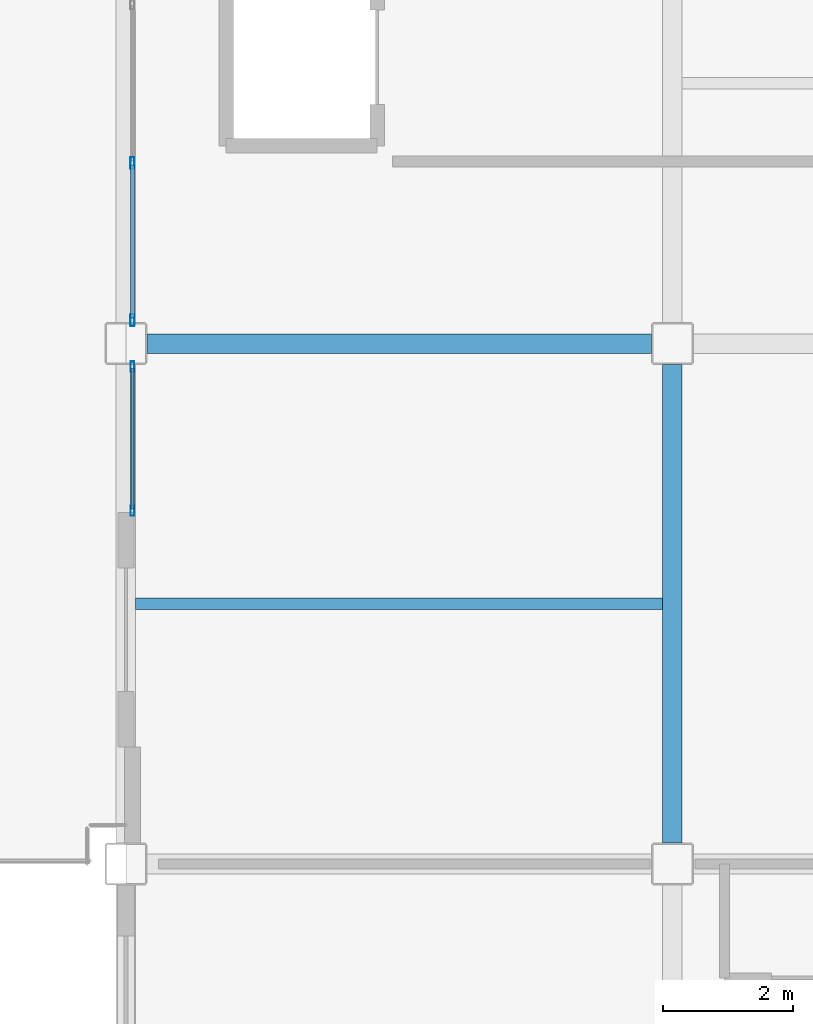
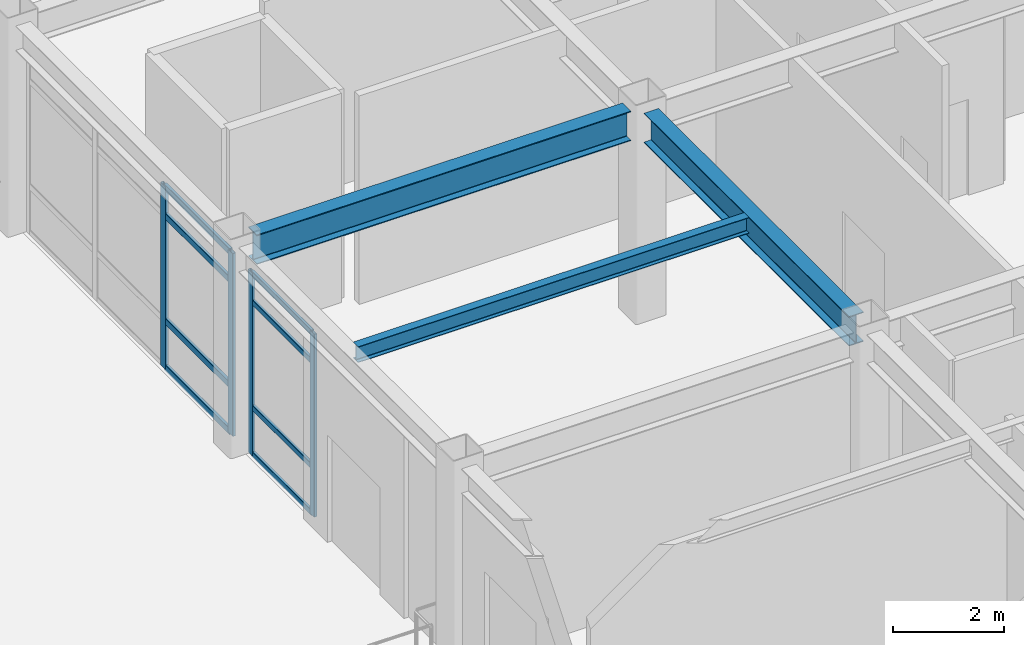
# One storey, part 17 of 61: 12 members, 3 beams, 2 elements without a shape of their own.
"""IFC4 building model written with IfcOpenShell, lengths in metres."""

from ifc_helpers import new_model, si_unit, direction, frame, origin, origin_2d, place, context, subcontext, project, spatial, hollow_rectangle, i_section, extrude, material, layer, layer_set, material_profile, profile_set, type_object, element, aggregate, save


model = new_model("IFC4")

# Units and contexts
model_context = context("Model", 3, precision=1e-05, world=origin(), true_north=direction((0.0, 1.0)))
body_context = subcontext(model_context, "Body", "Model", "MODEL_VIEW")
ifc_project = project(units=[si_unit("LENGTHUNIT", "METRE"), si_unit("AREAUNIT", "SQUARE_METRE"), si_unit("VOLUMEUNIT", "CUBIC_METRE"), si_unit("PLANEANGLEUNIT", "RADIAN"), si_unit("MASSUNIT", "GRAM", prefix="KILO")], contexts=[model_context])

# Site, building, storey
site_placement = place(None, origin())
site = spatial("IfcSite", under=ifc_project, at=site_placement, CompositionType="ELEMENT")
building_placement = place(site_placement, origin())
building = spatial("IfcBuilding", under=site, at=building_placement, Name="Kazehara Bluff Congress Hotel", CompositionType="ELEMENT")
storey_placement = place(building_placement, frame((0.0, 0.0, 19.800048828125)))
storey = spatial("IfcBuildingStorey", under=building, at=storey_placement, Name="L04", CompositionType="ELEMENT", Elevation=19.800048828125)

# Curtain wall, members
ifc_material_1 = material(Name="Anodised aluminium", Category="aluminium")
ifc_layer_1 = layer(ifc_material_1, 0.159912109375)
ifc_layer_set_1 = layer_set([ifc_layer_1], Name="Anodised aluminium")
curtain_wall_type_1 = type_object("IfcCurtainWallType", Name="TP-CW-165", PredefinedType="NOTDEFINED", material=ifc_layer_set_1)
curtain_wall_1_placement = place(storey_placement, origin())
curtain_wall_1 = element("IfcCurtainWall", 1, at=curtain_wall_1_placement, inside=storey, type_object=curtain_wall_type_1, Name="L04 curtain wall CW-165 CW-ENC-V5-L04-14380-2254", PredefinedType="NOTDEFINED")
ifc_material_2 = material(Name="Anodised aluminium", Category="aluminium")
ifc_material_profile_1 = material_profile(ifc_material_2, hollow_rectangle(XDim=0.06005859375, YDim=0.159912109375, WallThickness=0.00390625, InnerFilletRadius=0.00390625, OuterFilletRadius=0.008056640625, at=origin_2d()))
ifc_profile_set_1 = profile_set([ifc_material_profile_1], Name="Anodised aluminium")
member_type_1 = type_object("IfcMemberType", Name="TP-CWM-01", PredefinedType="MULLION", material=ifc_profile_set_1)
member_1_placement = place(storey_placement, frame((143.800048828125, 21.429931640625, 0.0), z_axis=(0.0, 0.0, 1.0), x_axis=(-1.0, 0.0, 0.0)))
member_1 = element("IfcMember", 2, at=member_1_placement, type_object=member_type_1, Name="CW-165 mullion 1", PredefinedType="MULLION", context=body_context, shape_type="SweptSolid", body=[
    extrude(hollow_rectangle(XDim=0.06005859375, YDim=0.159912109375, WallThickness=0.00390625, InnerFilletRadius=0.00390625, OuterFilletRadius=0.008056640625, at=origin_2d()), origin(), (0.0, 0.0, 1.0), 4.0048828125),
])
member_2_placement = place(storey_placement, frame((143.800048828125, 23.64501953125, 0.0), z_axis=(0.0, 0.0, 1.0), x_axis=(-1.0, 0.0, 0.0)))
member_2 = element("IfcMember", 3, at=member_2_placement, type_object=member_type_1, Name="CW-165 mullion 2", PredefinedType="MULLION", context=body_context, shape_type="SweptSolid", body=[
    extrude(hollow_rectangle(XDim=0.06005859375, YDim=0.159912109375, WallThickness=0.00390625, InnerFilletRadius=0.00390625, OuterFilletRadius=0.008056640625, at=origin_2d()), origin(), (0.0, 0.0, 1.0), 4.0048828125),
])

ifc_material_3 = material(Name="Anodised aluminium", Category="aluminium")
ifc_layer_2 = layer(ifc_material_3, 0.159912109375)
ifc_layer_set_2 = layer_set([ifc_layer_2], Name="Anodised aluminium")
curtain_wall_type_2 = type_object("IfcCurtainWallType", Name="TP-CW-166", PredefinedType="NOTDEFINED", material=ifc_layer_set_2)
curtain_wall_2_placement = place(storey_placement, origin())
curtain_wall_2 = element("IfcCurtainWall", 4, at=curtain_wall_2_placement, inside=storey, type_object=curtain_wall_type_2, Name="L04 curtain wall CW-166 CW-ENC-V5-L04-14380-2800", PredefinedType="NOTDEFINED")
ifc_material_4 = material(Name="Anodised aluminium", Category="aluminium")
ifc_material_profile_2 = material_profile(ifc_material_4, hollow_rectangle(XDim=0.06494140625, YDim=0.179931640625, WallThickness=0.00390625, InnerFilletRadius=0.00390625, OuterFilletRadius=0.008056640625, at=origin_2d()))
ifc_profile_set_2 = profile_set([ifc_material_profile_2], Name="Anodised aluminium")
member_type_2 = type_object("IfcMemberType", Name="TP-CWM-02", PredefinedType="MULLION", material=ifc_profile_set_2)
member_3_placement = place(storey_placement, frame((143.800048828125, 24.357421875, 0.0), z_axis=(0.0, 0.0, 1.0), x_axis=(-1.0, 0.0, 0.0)))
member_3 = element("IfcMember", 5, at=member_3_placement, type_object=member_type_2, Name="CW-166 mullion 1", PredefinedType="MULLION", context=body_context, shape_type="SweptSolid", body=[
    extrude(hollow_rectangle(XDim=0.06494140625, YDim=0.179931640625, WallThickness=0.00390625, InnerFilletRadius=0.00390625, OuterFilletRadius=0.008056640625, at=origin_2d()), origin(), (0.0, 0.0, 1.0), 4.0048828125),
])
member_4_placement = place(storey_placement, frame((143.800048828125, 26.77490234375, 0.0), z_axis=(0.0, 0.0, 1.0), x_axis=(-1.0, 0.0, 0.0)))
member_4 = element("IfcMember", 6, at=member_4_placement, type_object=member_type_2, Name="CW-166 mullion 2", PredefinedType="MULLION", context=body_context, shape_type="SweptSolid", body=[
    extrude(hollow_rectangle(XDim=0.06494140625, YDim=0.179931640625, WallThickness=0.00390625, InnerFilletRadius=0.00390625, OuterFilletRadius=0.008056640625, at=origin_2d()), origin(), (0.0, 0.0, 1.0), 4.0048828125),
])

# Member
ifc_material_5 = material(Name="Anodised aluminium", Category="aluminium")
ifc_material_profile_3 = material_profile(ifc_material_5, hollow_rectangle(XDim=0.06005859375, YDim=0.1201171875, WallThickness=0.00390625, InnerFilletRadius=0.00390625, OuterFilletRadius=0.008056640625, at=origin_2d()))
ifc_profile_set_3 = profile_set([ifc_material_profile_3], Name="Anodised aluminium")
member_type_3 = type_object("IfcMemberType", Name="TP-CWT-01", PredefinedType="USERDEFINED", material=ifc_profile_set_3)
member_5_placement = place(storey_placement, frame((143.800048828125, 21.4599609375, 0.030029296875), z_axis=(0.0, 1.0, 0.0), x_axis=(-1.0, 0.0, 0.0)))
member_5 = element("IfcMember", 7, at=member_5_placement, type_object=member_type_3, Name="CW-165 transom 1.1", ObjectType="TRANSOM", PredefinedType="USERDEFINED", context=body_context, shape_type="SweptSolid", body=[
    extrude(hollow_rectangle(XDim=0.06005859375, YDim=0.1201171875, WallThickness=0.00390625, InnerFilletRadius=0.00390625, OuterFilletRadius=0.008056640625, at=origin_2d()), origin(), (0.0, 0.0, 1.0), 2.155029296875),
])

member_6_placement = place(storey_placement, frame((143.800048828125, 21.4599609375, 1.050048828125), z_axis=(0.0, 1.0, 0.0), x_axis=(-1.0, 0.0, 0.0)))
member_6 = element("IfcMember", 8, at=member_6_placement, type_object=member_type_3, Name="CW-165 transom 1.2", ObjectType="TRANSOM", PredefinedType="USERDEFINED", context=body_context, shape_type="SweptSolid", body=[
    extrude(hollow_rectangle(XDim=0.06005859375, YDim=0.1201171875, WallThickness=0.00390625, InnerFilletRadius=0.00390625, OuterFilletRadius=0.008056640625, at=origin_2d()), origin(), (0.0, 0.0, 1.0), 2.155029296875),
])

member_7_placement = place(storey_placement, frame((143.800048828125, 21.4599609375, 3.35498046875), z_axis=(0.0, 1.0, 0.0), x_axis=(-1.0, 0.0, 0.0)))
member_7 = element("IfcMember", 9, at=member_7_placement, type_object=member_type_3, Name="CW-165 transom 1.3", ObjectType="TRANSOM", PredefinedType="USERDEFINED", context=body_context, shape_type="SweptSolid", body=[
    extrude(hollow_rectangle(XDim=0.06005859375, YDim=0.1201171875, WallThickness=0.00390625, InnerFilletRadius=0.00390625, OuterFilletRadius=0.008056640625, at=origin_2d()), origin(), (0.0, 0.0, 1.0), 2.155029296875),
])

member_8_placement = place(storey_placement, frame((143.800048828125, 21.4599609375, 3.974853515625), z_axis=(0.0, 1.0, 0.0), x_axis=(-1.0, 0.0, 0.0)))
member_8 = element("IfcMember", 10, at=member_8_placement, type_object=member_type_3, Name="CW-165 transom 1.4", ObjectType="TRANSOM", PredefinedType="USERDEFINED", context=body_context, shape_type="SweptSolid", body=[
    extrude(hollow_rectangle(XDim=0.06005859375, YDim=0.1201171875, WallThickness=0.00390625, InnerFilletRadius=0.00390625, OuterFilletRadius=0.008056640625, at=origin_2d()), origin(), (0.0, 0.0, 1.0), 2.155029296875),
])

aggregate(curtain_wall_1, [member_1, member_2, member_5, member_6, member_7, member_8])

ifc_material_6 = material(Name="Anodised aluminium", Category="aluminium")
ifc_material_profile_4 = material_profile(ifc_material_6, hollow_rectangle(XDim=0.06494140625, YDim=0.139892578125, WallThickness=0.00390625, InnerFilletRadius=0.00390625, OuterFilletRadius=0.008056640625, at=origin_2d()))
ifc_profile_set_4 = profile_set([ifc_material_profile_4], Name="Anodised aluminium")
member_type_4 = type_object("IfcMemberType", Name="TP-CWT-02", PredefinedType="USERDEFINED", material=ifc_profile_set_4)
member_9_placement = place(storey_placement, frame((143.800048828125, 24.389892578125, 0.032470703125), z_axis=(0.0, 1.0, 0.0), x_axis=(-1.0, 0.0, 0.0)))
member_9 = element("IfcMember", 11, at=member_9_placement, type_object=member_type_4, Name="CW-166 transom 1.1", ObjectType="TRANSOM", PredefinedType="USERDEFINED", context=body_context, shape_type="SweptSolid", body=[
    extrude(hollow_rectangle(XDim=0.06494140625, YDim=0.139892578125, WallThickness=0.00390625, InnerFilletRadius=0.00390625, OuterFilletRadius=0.008056640625, at=origin_2d()), origin(), (0.0, 0.0, 1.0), 2.3525390625),
])

member_10_placement = place(storey_placement, frame((143.800048828125, 24.389892578125, 1.050048828125), z_axis=(0.0, 1.0, 0.0), x_axis=(-1.0, 0.0, 0.0)))
member_10 = element("IfcMember", 12, at=member_10_placement, type_object=member_type_4, Name="CW-166 transom 1.2", ObjectType="TRANSOM", PredefinedType="USERDEFINED", context=body_context, shape_type="SweptSolid", body=[
    extrude(hollow_rectangle(XDim=0.06494140625, YDim=0.139892578125, WallThickness=0.00390625, InnerFilletRadius=0.00390625, OuterFilletRadius=0.008056640625, at=origin_2d()), origin(), (0.0, 0.0, 1.0), 2.3525390625),
])

member_11_placement = place(storey_placement, frame((143.800048828125, 24.389892578125, 3.35498046875), z_axis=(0.0, 1.0, 0.0), x_axis=(-1.0, 0.0, 0.0)))
member_11 = element("IfcMember", 13, at=member_11_placement, type_object=member_type_4, Name="CW-166 transom 1.3", ObjectType="TRANSOM", PredefinedType="USERDEFINED", context=body_context, shape_type="SweptSolid", body=[
    extrude(hollow_rectangle(XDim=0.06494140625, YDim=0.139892578125, WallThickness=0.00390625, InnerFilletRadius=0.00390625, OuterFilletRadius=0.008056640625, at=origin_2d()), origin(), (0.0, 0.0, 1.0), 2.3525390625),
])

member_12_placement = place(storey_placement, frame((143.800048828125, 24.389892578125, 3.972412109375), z_axis=(0.0, 1.0, 0.0), x_axis=(-1.0, 0.0, 0.0)))
member_12 = element("IfcMember", 14, at=member_12_placement, type_object=member_type_4, Name="CW-166 transom 1.4", ObjectType="TRANSOM", PredefinedType="USERDEFINED", context=body_context, shape_type="SweptSolid", body=[
    extrude(hollow_rectangle(XDim=0.06494140625, YDim=0.139892578125, WallThickness=0.00390625, InnerFilletRadius=0.00390625, OuterFilletRadius=0.008056640625, at=origin_2d()), origin(), (0.0, 0.0, 1.0), 2.3525390625),
])

aggregate(curtain_wall_2, [member_3, member_4, member_9, member_10, member_11, member_12])

# Beams
ifc_material_7 = material(Name="Steel SN490B", Category="steel")
ifc_material_profile_5 = material_profile(ifc_material_7, i_section(OverallWidth=0.300048828125, OverallDepth=0.64990234375, WebThickness=0.011962890625, FlangeThickness=0.02001953125, FilletRadius=0.012939453125, at=origin_2d()))
ifc_profile_set_5 = profile_set([ifc_material_profile_5], Name="Steel SN490B")
beam_type_1 = type_object("IfcBeamType", Name="TP-G-03", PredefinedType="BEAM", material=ifc_profile_set_5)
beam_1_placement = place(storey_placement, frame((152.10009765625, 16.324951171875, 4.2548828125), z_axis=(0.0, 1.0, 0.0), x_axis=(-1.0, 0.0, 0.0)))
element("IfcBeam", 15, at=beam_1_placement, inside=storey, type_object=beam_type_1, Name="L04 girder G-03 46", PredefinedType="BEAM", context=body_context, shape_type="SweptSolid", body=[
    extrude(i_section(OverallWidth=0.300048828125, OverallDepth=0.64990234375, WebThickness=0.011962890625, FlangeThickness=0.02001953125, FilletRadius=0.012939453125, at=origin_2d()), origin(), (0.0, 0.0, 1.0), 7.35009765625),
])
beam_2_placement = place(storey_placement, frame((144.02490234375, 24.0, 4.2548828125), z_axis=(1.0, 0.0, 0.0), x_axis=(0.0, 1.0, 0.0)))
element("IfcBeam", 16, at=beam_2_placement, inside=storey, type_object=beam_type_1, Name="L04 girder G-03 87", PredefinedType="BEAM", context=body_context, shape_type="SweptSolid", body=[
    extrude(i_section(OverallWidth=0.300048828125, OverallDepth=0.64990234375, WebThickness=0.011962890625, FlangeThickness=0.02001953125, FilletRadius=0.012939453125, at=origin_2d()), origin(), (0.0, 0.0, 1.0), 7.75),
])
ifc_material_8 = material(Name="Steel SN400B", Category="steel")
ifc_material_profile_6 = material_profile(ifc_material_8, i_section(OverallWidth=0.175048828125, OverallDepth=0.35009765625, WebThickness=0.007080078125, FlangeThickness=0.010986328125, FilletRadius=0.012939453125, at=origin_2d()))
ifc_profile_set_6 = profile_set([ifc_material_profile_6], Name="Steel SN400B")
beam_type_2 = type_object("IfcBeamType", Name="TP-J-02", PredefinedType="JOIST", material=ifc_profile_set_6)
beam_3_placement = place(storey_placement, frame((143.85009765625, 20.0, 4.405029296875), z_axis=(1.0, 0.0, 0.0), x_axis=(0.0, 1.0, 0.0)))
element("IfcBeam", 17, at=beam_3_placement, inside=storey, type_object=beam_type_2, Name="L04 secondary joist J-02 13", PredefinedType="JOIST", context=body_context, shape_type="SweptSolid", body=[
    extrude(i_section(OverallWidth=0.175048828125, OverallDepth=0.35009765625, WebThickness=0.007080078125, FlangeThickness=0.010986328125, FilletRadius=0.012939453125, at=origin_2d()), origin(), (0.0, 0.0, 1.0), 8.099853515625),
])

save(model, "model.ifc")
